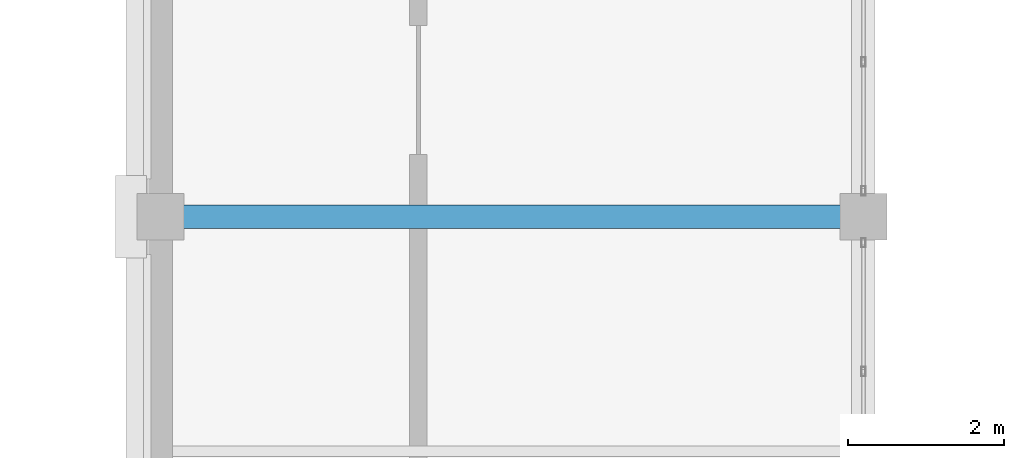
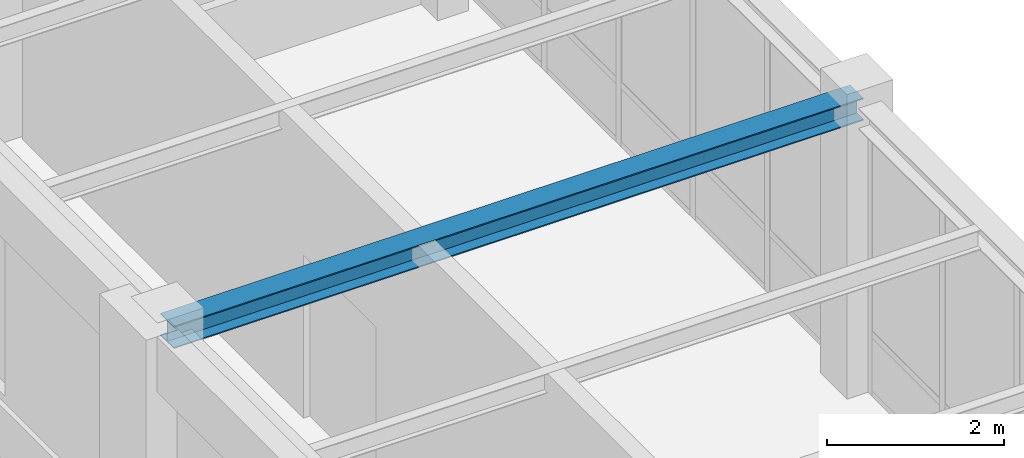
# One storey, part 56 of 130: 1 beam.
"""IFC4 building model written with IfcOpenShell, lengths in metres."""

from ifc_helpers import new_model, si_unit, direction, frame, origin, origin_2d, place, context, subcontext, project, spatial, i_section, extrude, material, material_profile, profile_set, type_object, element, save


model = new_model("IFC4")

# Units and contexts
model_context = context("Model", 3, precision=1e-05, world=origin(), true_north=direction((0.0, 1.0)))
body_context = subcontext(model_context, "Body", "Model", "MODEL_VIEW")
ifc_project = project(units=[si_unit("LENGTHUNIT", "METRE"), si_unit("AREAUNIT", "SQUARE_METRE"), si_unit("VOLUMEUNIT", "CUBIC_METRE"), si_unit("PLANEANGLEUNIT", "RADIAN"), si_unit("MASSUNIT", "GRAM", prefix="KILO")], contexts=[model_context])

# Site, building, storey
site_placement = place(None, origin())
site = spatial("IfcSite", under=ifc_project, at=site_placement, CompositionType="ELEMENT")
building_placement = place(site_placement, origin())
building = spatial("IfcBuilding", under=site, at=building_placement, Name="Lykobir Media Centre", CompositionType="ELEMENT")
storey_placement = place(building_placement, frame((0.0, 0.0, 19.199951171875)))
storey = spatial("IfcBuildingStorey", under=building, at=storey_placement, Name="L04", CompositionType="ELEMENT", Elevation=19.199951171875)

# Beam
ifc_material = material(Name="Steel S355", Category="steel")
ifc_material_profile = material_profile(ifc_material, i_section(OverallWidth=0.300048828125, OverallDepth=0.31005859375, WebThickness=0.009033203125, FlangeThickness=0.015380859375, at=origin_2d()), Name="HEA 320")
ifc_profile_set = profile_set([ifc_material_profile], Name="Steel S355")
beam_type = type_object("IfcBeamType", Name="SP-HEA320", PredefinedType="SPANDREL", material=ifc_profile_set)
beam_placement = place(storey_placement, frame((90.0, 63.0, 3.804931640625), z_axis=(1.0, 0.0, 0.0), x_axis=(0.0, 1.0, 0.0)))
element("IfcBeam", 1, at=beam_placement, inside=storey, type_object=beam_type, Name="Beam BM-L04-0900-0630-0990-0630-2300", PredefinedType="SPANDREL", context=body_context, shape_type="SweptSolid", body=[
    extrude(i_section(OverallWidth=0.300048828125, OverallDepth=0.31005859375, WebThickness=0.009033203125, FlangeThickness=0.015380859375, at=origin_2d()), origin(), (0.0, 0.0, 1.0), 9.0),
])

save(model, "model.ifc")
